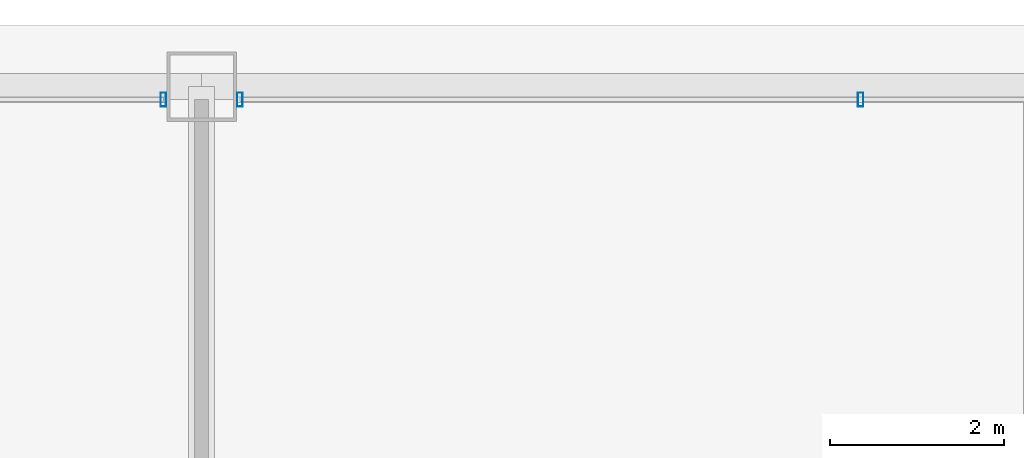
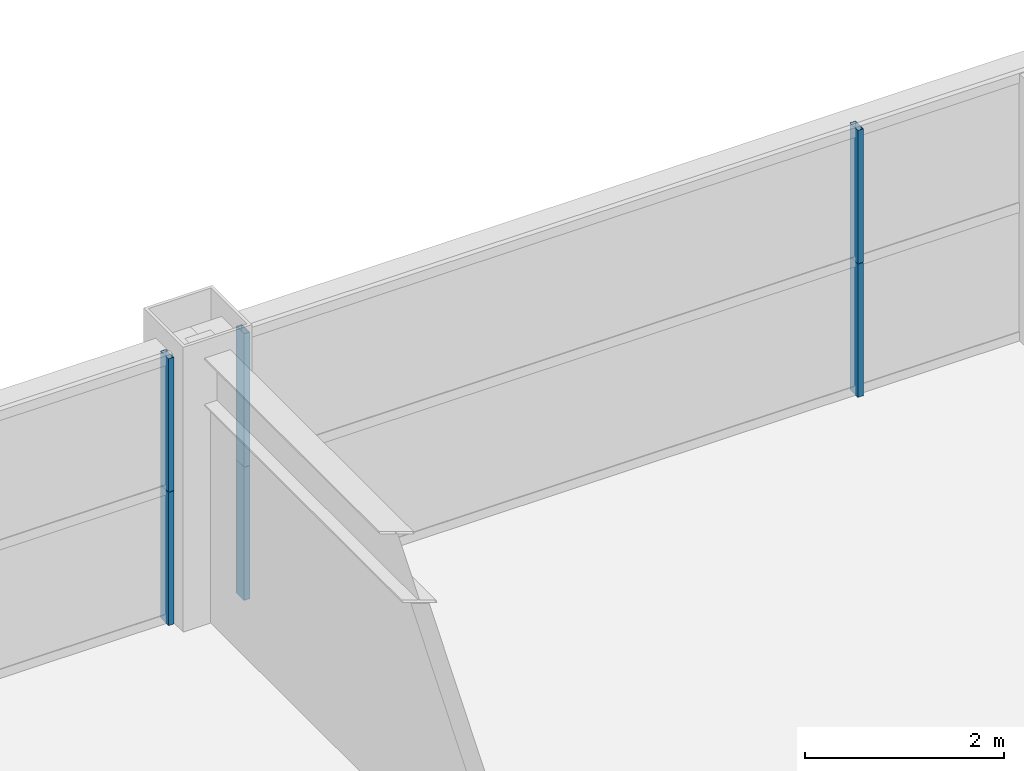
# One storey, part 29 of 38: 6 members, 2 elements without a shape of their own.
"""IFC4 building model written with IfcOpenShell, lengths in metres."""

from ifc_helpers import new_model, si_unit, direction, frame, origin, origin_2d, place, context, subcontext, project, spatial, hollow_rectangle, extrude, source, transform, mapped, material, layer, layer_set, material_profile, profile_set, type_object, element, aggregate, save


model = new_model("IFC4")

# Units and contexts
model_context = context("Model", 3, precision=1e-05, world=origin(), true_north=direction((0.0, 1.0)))
body_context = subcontext(model_context, "Body", "Model", "MODEL_VIEW")
ifc_project = project(units=[si_unit("LENGTHUNIT", "METRE"), si_unit("AREAUNIT", "SQUARE_METRE"), si_unit("VOLUMEUNIT", "CUBIC_METRE"), si_unit("PLANEANGLEUNIT", "RADIAN"), si_unit("MASSUNIT", "GRAM", prefix="KILO"), si_unit("THERMODYNAMICTEMPERATUREUNIT", "KELVIN"), si_unit("POWERUNIT", "WATT")], contexts=[model_context])

# Site, building, storey
site_placement = place(None, origin())
site = spatial("IfcSite", under=ifc_project, at=site_placement, CompositionType="ELEMENT")
building_placement = place(site_placement, origin())
building = spatial("IfcBuilding", under=site, at=building_placement, Name="Yuzanri Waterfront Tower", CompositionType="ELEMENT")
storey_placement = place(building_placement, frame((0.0, 0.0, 181.0)))
storey = spatial("IfcBuildingStorey", under=building, at=storey_placement, Name="L47", CompositionType="ELEMENT", Elevation=181.0)

# Curtain wall, members
ifc_material_1 = material(Name="Anodized Architectural Bronze", Category="metal")
ifc_layer = layer(ifc_material_1, 0.159912109375)
ifc_layer_set = layer_set([ifc_layer], Name="Anodized Architectural Bronze")
curtain_wall_type = type_object("IfcCurtainWallType", Name="Anodized Bronze Mid-Rise Residential Acoustic Unitized Curtain Wall 7200", PredefinedType="NOTDEFINED", material=ifc_layer_set)
curtain_wall_1_placement = place(storey_placement, origin())
curtain_wall_1 = element("IfcCurtainWall", 1, at=curtain_wall_1_placement, inside=storey, type_object=curtain_wall_type, Name="L47 Curtain Wall CW-L47-NL", PredefinedType="NOTDEFINED")
ifc_material_2 = material(Name="Anodized Architectural Bronze", Category="metal")
ifc_material_profile = material_profile(ifc_material_2, hollow_rectangle(XDim=0.06494140625, YDim=0.159912109375, WallThickness=0.00341796875, at=origin_2d()), Name="CWM 65x160")
ifc_profile_set = profile_set([ifc_material_profile], Name="Anodized Architectural Bronze")
member_type = type_object("IfcMemberType", Name="Anodized Bronze Upper-Zone Curtain-Wall Mullion 65x160", PredefinedType="MULLION", material=ifc_profile_set)
shared_shape = source(origin(), body_context, "Body", "SweptSolid", [
    extrude(hollow_rectangle(XDim=0.06494140625, YDim=0.159912109375, WallThickness=0.00341796875, at=origin_2d()), origin(), (0.0, 0.0, 1.0), 1.637939453125),
])
member_1_placement = place(storey_placement, frame((36.56005859375, 47.75, 0.0), z_axis=(0.0, 0.0, 1.0), x_axis=(1.0, 0.0, 0.0)))
member_1 = element("IfcMember", 2, at=member_1_placement, type_object=member_type, Name="CW-L47-NL Lower Mullion 02", PredefinedType="MULLION", context=body_context, shape_type="MappedRepresentation", body=[
    mapped(shared_shape, transform((0.0, 0.0, 0.0), scale=1.0)),
])
member_2_placement = place(storey_placement, frame((36.56005859375, 47.75, 1.64208984375), z_axis=(0.0, 0.0, 1.0), x_axis=(1.0, 0.0, 0.0)))
member_2 = element("IfcMember", 3, at=member_2_placement, type_object=member_type, Name="CW-L47-NL Upper Mullion 02", PredefinedType="MULLION", context=body_context, shape_type="MappedRepresentation", body=[
    mapped(shared_shape, transform((0.0, 0.0, 0.0), scale=1.0)),
])
aggregate(curtain_wall_1, [member_1, member_2])

curtain_wall_2_placement = place(storey_placement, origin())
curtain_wall_2 = element("IfcCurtainWall", 4, at=curtain_wall_2_placement, inside=storey, type_object=curtain_wall_type, Name="L47 Curtain Wall CW-L47-NR", PredefinedType="NOTDEFINED")
member_3_placement = place(storey_placement, frame((37.43994140625, 47.75, 0.0), z_axis=(0.0, 0.0, 1.0), x_axis=(1.0, 0.0, 0.0)))
member_3 = element("IfcMember", 5, at=member_3_placement, type_object=member_type, Name="CW-L47-NR Lower Mullion 00", PredefinedType="MULLION", context=body_context, shape_type="MappedRepresentation", body=[
    mapped(shared_shape, transform((0.0, 0.0, 0.0), scale=1.0)),
])
member_4_placement = place(storey_placement, frame((37.43994140625, 47.75, 1.64208984375), z_axis=(0.0, 0.0, 1.0), x_axis=(1.0, 0.0, 0.0)))
member_4 = element("IfcMember", 6, at=member_4_placement, type_object=member_type, Name="CW-L47-NR Upper Mullion 00", PredefinedType="MULLION", context=body_context, shape_type="MappedRepresentation", body=[
    mapped(shared_shape, transform((0.0, 0.0, 0.0), scale=1.0)),
])
member_5_placement = place(storey_placement, frame((44.574951171875, 47.75, 0.0), z_axis=(0.0, 0.0, 1.0), x_axis=(1.0, 0.0, 0.0)))
member_5 = element("IfcMember", 7, at=member_5_placement, type_object=member_type, Name="CW-L47-NR Lower Mullion 01", PredefinedType="MULLION", context=body_context, shape_type="MappedRepresentation", body=[
    mapped(shared_shape, transform((0.0, 0.0, 0.0), scale=1.0)),
])
member_6_placement = place(storey_placement, frame((44.574951171875, 47.75, 1.64208984375), z_axis=(0.0, 0.0, 1.0), x_axis=(1.0, 0.0, 0.0)))
member_6 = element("IfcMember", 8, at=member_6_placement, type_object=member_type, Name="CW-L47-NR Upper Mullion 01", PredefinedType="MULLION", context=body_context, shape_type="MappedRepresentation", body=[
    mapped(shared_shape, transform((0.0, 0.0, 0.0), scale=1.0)),
])
aggregate(curtain_wall_2, [member_3, member_4, member_5, member_6])

save(model, "model.ifc")
